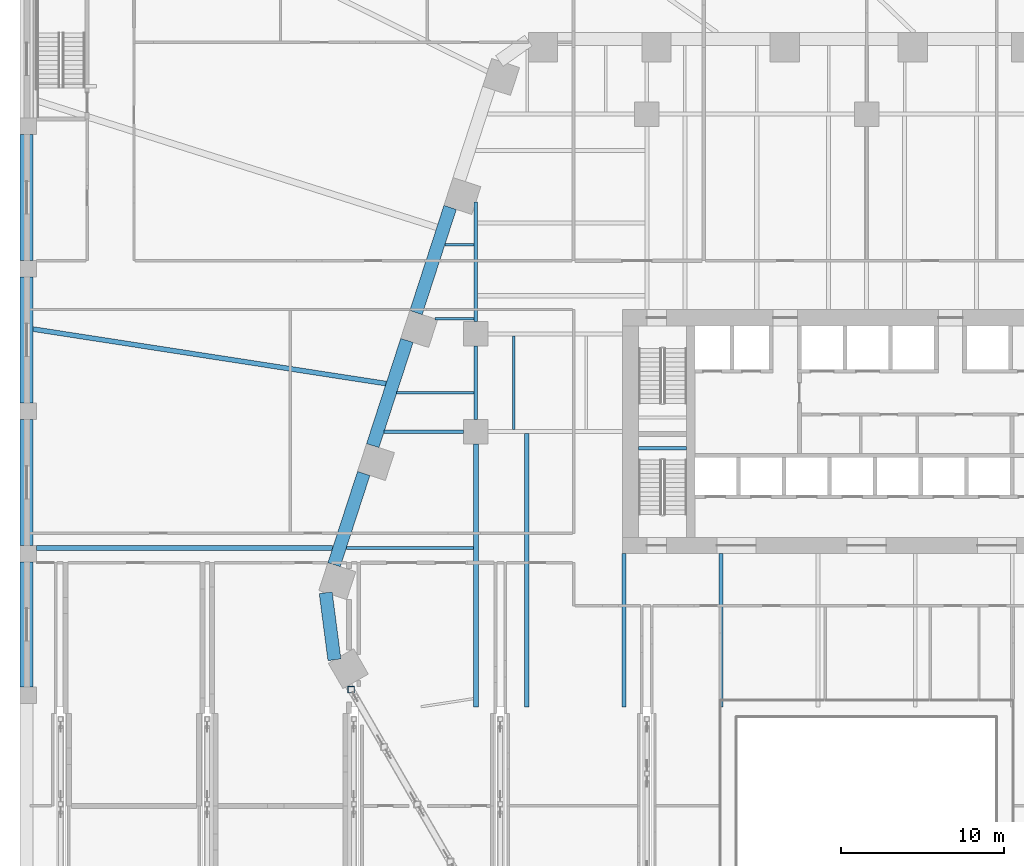
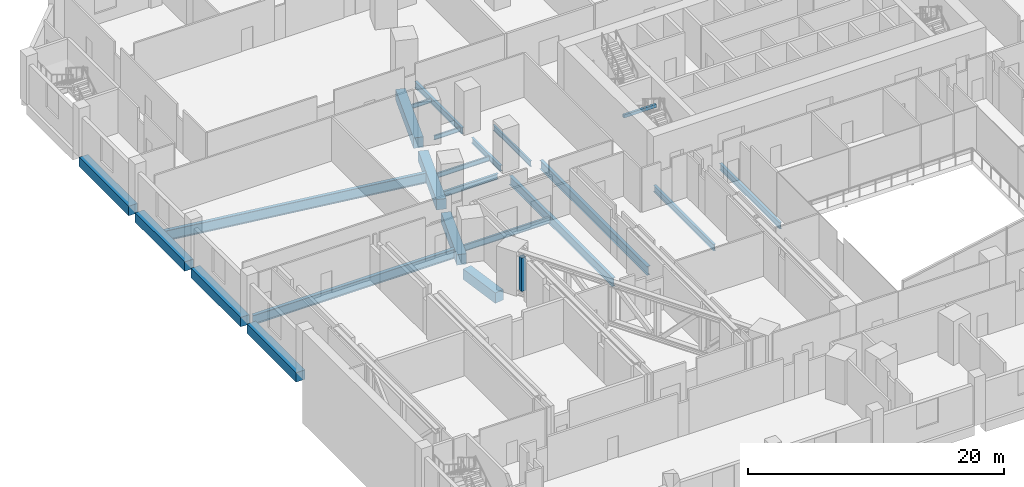
# One storey, part 5 of 32: 23 beams, 1 member.
"""IFC4 building model written with IfcOpenShell, lengths in metres."""

from ifc_helpers import new_model, si_unit, direction, frame, origin, origin_2d, place, context, subcontext, project, spatial, rectangle, hollow_rectangle, i_section, extrude, material, material_profile, profile_set, type_object, element, save


model = new_model("IFC4")

# Units and contexts
model_context = context("Model", 3, precision=1e-05, world=origin(), true_north=direction((0.0, 1.0)))
body_context = subcontext(model_context, "Body", "Model", "MODEL_VIEW")
ifc_project = project(units=[si_unit("LENGTHUNIT", "METRE"), si_unit("AREAUNIT", "SQUARE_METRE"), si_unit("VOLUMEUNIT", "CUBIC_METRE"), si_unit("PLANEANGLEUNIT", "RADIAN"), si_unit("MASSUNIT", "GRAM", prefix="KILO")], contexts=[model_context])

# Site, building, storey
site_placement = place(None, origin())
site = spatial("IfcSite", under=ifc_project, at=site_placement, CompositionType="ELEMENT")
building_placement = place(site_placement, origin())
building = spatial("IfcBuilding", under=site, at=building_placement, Name="Isthmus Gate Tower", CompositionType="ELEMENT")
storey_placement = place(building_placement, frame((0.0, 0.0, 18.0)))
storey = spatial("IfcBuildingStorey", under=building, at=storey_placement, Name="L02", CompositionType="ELEMENT", Elevation=18.0)

# Beams
ifc_material_1 = material(Name="Concrete f'c 70 MPa", Category="concrete")
ifc_material_profile_1 = material_profile(ifc_material_1, rectangle(XDim=0.800048828125, YDim=0.89990234375, at=origin_2d()), Name="RC 800X900")
ifc_profile_set_1 = profile_set([ifc_material_profile_1], Name="Concrete f'c 70 MPa")
beam_type_1 = type_object("IfcBeamType", Name="RC EDGE BEAM 800 X 900", PredefinedType="BEAM", material=ifc_profile_set_1)
beam_1_placement = place(storey_placement, frame((-51.60009765625, -8.199951171875, -0.85009765625), z_axis=(0.0, 1.0, 0.0), x_axis=(-1.0, 0.0, 0.0)))
element("IfcBeam", 1, at=beam_1_placement, inside=storey, type_object=beam_type_1, Name="str-edgebeam-L02-03", PredefinedType="BEAM", context=body_context, shape_type="SweptSolid", body=[
    extrude(rectangle(XDim=0.800048828125, YDim=0.89990234375, at=origin_2d()), origin(), (0.0, 0.0, 1.0), 7.699951171875),
])
for number, where, z_axis, x_axis, name in (
    (2, (-51.60009765625, 0.5, -0.85009765625), (0.0, 1.0, 0.0), (-1.0, 0.0, 0.0), "str-edgebeam-L02-04"),
    (3, (-51.60009765625, 9.25, -0.85009765625), (0.0, 1.0, 0.0), (-1.0, 0.0, 0.0), "str-edgebeam-L02-05"),
    (4, (-51.60009765625, 18.0, -0.85009765625), (0.0, 1.0, 0.0), (-1.0, 0.0, 0.0), "str-edgebeam-L02-06"),
):
    element("IfcBeam", number, at=place(storey_placement, frame(where, z_axis=z_axis, x_axis=x_axis)), inside=storey, type_object=beam_type_1, Name=name, PredefinedType="BEAM", context=body_context, shape_type="SweptSolid", body=[
        extrude(rectangle(XDim=0.800048828125, YDim=0.89990234375, at=origin_2d()), origin(), (0.0, 0.0, 1.0), 7.75),
    ])
ifc_material_2 = material(Name="Concrete f'c 70 MPa", Category="concrete")
ifc_material_profile_2 = material_profile(ifc_material_2, rectangle(XDim=0.800048828125, YDim=1.0, at=origin_2d()), Name="RC 800X1000")
ifc_profile_set_2 = profile_set([ifc_material_profile_2], Name="Concrete f'c 70 MPa")
beam_type_2 = type_object("IfcBeamType", Name="RC TUBE RING BEAM 800 X 1000", PredefinedType="BEAM", material=ifc_profile_set_2)
beam_2_placement = place(storey_placement, frame((-32.6884765625, -6.515380859375, -0.89990234375), z_axis=(-0.129170777359, 0.991622362735, 0.0), x_axis=(-0.991622362735, -0.129170777359, 0.0)))
element("IfcBeam", 5, at=beam_2_placement, inside=storey, type_object=beam_type_2, Name="str-ringbeam-L02-14", PredefinedType="BEAM", context=body_context, shape_type="SweptSolid", body=[
    extrude(rectangle(XDim=0.800048828125, YDim=1.0, at=origin_2d()), origin(), (0.0, 0.0, 1.0), 4.15234375),
])
beam_3_placement = place(storey_placement, frame((-32.70947265625, -0.672607421875, -0.89990234375), z_axis=(0.309005457803, 0.951060264677, 0.0), x_axis=(-0.951060264677, 0.309005457803, 0.0)))
element("IfcBeam", 6, at=beam_3_placement, inside=storey, type_object=beam_type_2, Name="str-ringbeam-L02-15", PredefinedType="BEAM", context=body_context, shape_type="SweptSolid", body=[
    extrude(rectangle(XDim=0.800048828125, YDim=1.0, at=origin_2d()), origin(), (0.0, 0.0, 1.0), 5.889404296875),
])
for number, where, z_axis, x_axis, name in (
    (7, (-30.333251953125, 6.640380859375, -0.89990234375), (0.30900150794, 0.951061548004, 0.0), (-0.951061548004, 0.30900150794, 0.0), "str-ringbeam-L02-16"),
    (8, (-27.67919921875, 14.809326171875, -0.89990234375), (0.309034033576, 0.951050979754, 0.0), (-0.951050979754, 0.309034033576, 0.0), "str-ringbeam-L02-17"),
):
    element("IfcBeam", number, at=place(storey_placement, frame(where, z_axis=z_axis, x_axis=x_axis)), inside=storey, type_object=beam_type_2, Name=name, PredefinedType="BEAM", context=body_context, shape_type="SweptSolid", body=[
        extrude(rectangle(XDim=0.800048828125, YDim=1.0, at=origin_2d()), origin(), (0.0, 0.0, 1.0), 6.789306640625),
    ])
ifc_material_3 = material(Name="Concrete f'c 40 MPa", Category="concrete")
ifc_material_profile_3 = material_profile(ifc_material_3, rectangle(XDim=0.199951171875, YDim=0.300048828125, at=origin_2d()), Name="STAIR LANDING BEAM RC 200 X 300")
ifc_profile_set_3 = profile_set([ifc_material_profile_3], Name="Concrete f'c 40 MPa")
beam_type_3 = type_object("IfcBeamType", Name="STAIR LANDING BEAM RC 200 X 300", PredefinedType="BEAM", material=ifc_profile_set_3)
beam_4_placement = place(storey_placement, frame((-14.0, 6.47998046875, 1.89990234375), z_axis=(1.0, 0.0, 0.0), x_axis=(0.0, 1.0, 0.0)))
element("IfcBeam", 9, at=beam_4_placement, inside=storey, type_object=beam_type_3, Name="L02 ST7 landing beam 1", PredefinedType="BEAM", context=body_context, shape_type="SweptSolid", body=[
    extrude(rectangle(XDim=0.199951171875, YDim=0.300048828125, at=origin_2d()), origin(), (0.0, 0.0, 1.0), 2.949951171875),
])
ifc_material_4 = material(Name="Structural steel ASTM A992 Gr 50", Category="steel")
ifc_material_profile_4 = material_profile(ifc_material_4, i_section(OverallWidth=0.1396484375, OverallDepth=0.4033203125, WebThickness=0.00634765625, FlangeThickness=0.010986328125, at=origin_2d()), Name="W16X31")
ifc_profile_set_4 = profile_set([ifc_material_profile_4], Name="Structural steel ASTM A992 Gr 50")
beam_type_4 = type_object("IfcBeamType", Name="STEEL FLOOR BEAM W16X31", PredefinedType="JOIST", material=ifc_profile_set_4)
beam_5_placement = place(storey_placement, frame((-26.503662109375, 14.427490234375, -0.6015625), z_axis=(1.0, 0.0, 0.0), x_axis=(0.0, 1.0, 0.0)))
element("IfcBeam", 10, at=beam_5_placement, inside=storey, type_object=beam_type_4, Name="str-beam-L02-06-01", PredefinedType="JOIST", context=body_context, shape_type="SweptSolid", body=[
    extrude(i_section(OverallWidth=0.1396484375, OverallDepth=0.4033203125, WebThickness=0.00634765625, FlangeThickness=0.010986328125, at=origin_2d()), origin(), (0.0, 0.0, 1.0), 2.389404296875),
])
beam_6_placement = place(storey_placement, frame((-25.90478515625, 18.975830078125, -0.6015625), z_axis=(1.0, 0.0, 0.0), x_axis=(0.0, 1.0, 0.0)))
element("IfcBeam", 11, at=beam_6_placement, inside=storey, type_object=beam_type_4, Name="str-beam-L02-06-02", PredefinedType="JOIST", context=body_context, shape_type="SweptSolid", body=[
    extrude(i_section(OverallWidth=0.1396484375, OverallDepth=0.4033203125, WebThickness=0.00634765625, FlangeThickness=0.010986328125, at=origin_2d()), origin(), (0.0, 0.0, 1.0), 1.79052734375),
])
ifc_material_5 = material(Name="Structural steel ASTM A992 Gr 50", Category="steel")
ifc_material_profile_5 = material_profile(ifc_material_5, i_section(OverallWidth=0.15234375, OverallDepth=0.45068359375, WebThickness=0.0078125, FlangeThickness=0.010986328125, at=origin_2d()), Name="W18X35")
ifc_profile_set_5 = profile_set([ifc_material_profile_5], Name="Structural steel ASTM A992 Gr 50")
beam_type_5 = type_object("IfcBeamType", Name="STEEL FLOOR BEAM W18X35", PredefinedType="JOIST", material=ifc_profile_set_5)
beam_7_placement = place(storey_placement, frame((-28.860595703125, 9.87890625, -0.62548828125), z_axis=(1.0, 0.0, 0.0), x_axis=(0.0, 1.0, 0.0)))
element("IfcBeam", 12, at=beam_7_placement, inside=storey, type_object=beam_type_5, Name="str-beam-L02-06-00", PredefinedType="JOIST", context=body_context, shape_type="SweptSolid", body=[
    extrude(i_section(OverallWidth=0.15234375, OverallDepth=0.45068359375, WebThickness=0.0078125, FlangeThickness=0.010986328125, at=origin_2d()), origin(), (0.0, 0.0, 1.0), 4.755859375),
])
ifc_material_6 = material(Name="Structural steel ASTM A992 Gr 50", Category="steel")
ifc_material_profile_6 = material_profile(ifc_material_6, i_section(OverallWidth=0.1650390625, OverallDepth=0.52392578125, WebThickness=0.009521484375, FlangeThickness=0.010986328125, at=origin_2d()), Name="W21X44")
ifc_profile_set_6 = profile_set([ifc_material_profile_6], Name="Structural steel ASTM A992 Gr 50")
beam_type_6 = type_object("IfcBeamType", Name="STEEL FLOOR BEAM W21X44", PredefinedType="JOIST", material=ifc_profile_set_6)
beam_8_placement = place(storey_placement, frame((-21.67138671875, 7.6142578125, -0.661865234375), z_axis=(0.0, 1.0, 0.0), x_axis=(-1.0, 0.0, 0.0)))
element("IfcBeam", 13, at=beam_8_placement, inside=storey, type_object=beam_type_6, Name="str-beam-L02-07-00", PredefinedType="JOIST", context=body_context, shape_type="SweptSolid", body=[
    extrude(i_section(OverallWidth=0.1650390625, OverallDepth=0.52392578125, WebThickness=0.009521484375, FlangeThickness=0.010986328125, at=origin_2d()), origin(), (0.0, 0.0, 1.0), 5.771484375),
])
ifc_material_7 = material(Name="Structural steel ASTM A992 Gr 50", Category="steel")
ifc_material_profile_7 = material_profile(ifc_material_7, i_section(OverallWidth=0.177734375, OverallDepth=0.60009765625, WebThickness=0.009521484375, FlangeThickness=0.0126953125, at=origin_2d()), Name="W24X55")
ifc_profile_set_7 = profile_set([ifc_material_profile_7], Name="Structural steel ASTM A992 Gr 50")
beam_type_7 = type_object("IfcBeamType", Name="STEEL FLOOR BEAM W24X55", PredefinedType="JOIST", material=ifc_profile_set_7)
beam_9_placement = place(storey_placement, frame((-24.14599609375, 0.357421875, -0.699951171875), z_axis=(-1.0, 0.0, 0.0), x_axis=(0.0, -1.0, 0.0)))
element("IfcBeam", 14, at=beam_9_placement, inside=storey, type_object=beam_type_7, Name="str-beam-L02-18-32", PredefinedType="JOIST", context=body_context, shape_type="SweptSolid", body=[
    extrude(i_section(OverallWidth=0.177734375, OverallDepth=0.60009765625, WebThickness=0.009521484375, FlangeThickness=0.0126953125, at=origin_2d()), origin(), (0.0, 0.0, 1.0), 7.80810546875),
])
ifc_material_8 = material(Name="Structural steel ASTM A992 Gr 50", Category="steel")
ifc_material_profile_8 = material_profile(ifc_material_8, i_section(OverallWidth=0.228515625, OverallDepth=0.603271484375, WebThickness=0.010986328125, FlangeThickness=0.014404296875, at=origin_2d()), Name="W24X68")
ifc_profile_set_8 = profile_set([ifc_material_profile_8], Name="Structural steel ASTM A992 Gr 50")
beam_type_8 = type_object("IfcBeamType", Name="STEEL FLOOR BEAM W24X68", PredefinedType="JOIST", material=ifc_profile_set_8)
for number, where, z_axis, x_axis, name in (
    (15, (-14.90869140625, -9.39990234375, -0.70166015625), (0.0, 1.0, 0.0), (-1.0, 0.0, 0.0), "str-beam-L02-17-01"),
    (16, (-8.9453125, -9.39990234375, -0.70166015625), (0.0, 1.0, 0.0), (-1.0, 0.0, 0.0), "str-beam-L02-17-02"),
):
    element("IfcBeam", number, at=place(storey_placement, frame(where, z_axis=z_axis, x_axis=x_axis)), inside=storey, type_object=beam_type_8, Name=name, PredefinedType="JOIST", context=body_context, shape_type="SweptSolid", body=[
        extrude(i_section(OverallWidth=0.228515625, OverallDepth=0.603271484375, WebThickness=0.010986328125, FlangeThickness=0.014404296875, at=origin_2d()), origin(), (0.0, 0.0, 1.0), 9.39990234375),
    ])
ifc_material_9 = material(Name="Structural steel ASTM A992 Gr 50", Category="steel")
ifc_material_profile_9 = material_profile(ifc_material_9, i_section(OverallWidth=0.2919921875, OverallDepth=0.8349609375, WebThickness=0.014404296875, FlangeThickness=0.01904296875, at=origin_2d()), Name="W33X118")
ifc_profile_set_9 = profile_set([ifc_material_profile_9], Name="Structural steel ASTM A992 Gr 50")
beam_type_9 = type_object("IfcBeamType", Name="STEEL FLOOR BEAM W33X118", PredefinedType="JOIST", material=ifc_profile_set_9)
beam_10_placement = place(storey_placement, frame((-20.872314453125, -9.39990234375, -0.8173828125), z_axis=(0.0, 1.0, 0.0), x_axis=(-1.0, 0.0, 0.0)))
element("IfcBeam", 17, at=beam_10_placement, inside=storey, type_object=beam_type_9, Name="str-beam-L02-17-00", PredefinedType="JOIST", context=body_context, shape_type="SweptSolid", body=[
    extrude(i_section(OverallWidth=0.2919921875, OverallDepth=0.8349609375, WebThickness=0.014404296875, FlangeThickness=0.01904296875, at=origin_2d()), origin(), (0.0, 0.0, 1.0), 16.78564453125),
])
ifc_material_10 = material(Name="Structural steel ASTM A992 Gr 50", Category="steel")
ifc_material_profile_10 = material_profile(ifc_material_10, i_section(OverallWidth=0.3046875, OverallDepth=0.901611328125, WebThickness=0.015869140625, FlangeThickness=0.0205078125, at=origin_2d()), Name="W36X135")
ifc_profile_set_10 = profile_set([ifc_material_profile_10], Name="Structural steel ASTM A992 Gr 50")
beam_type_10 = type_object("IfcBeamType", Name="STEEL FLOOR BEAM W36X135", PredefinedType="JOIST", material=ifc_profile_set_10)
beam_11_placement = place(storey_placement, frame((-32.79541015625, 0.357421875, -0.850830078125), z_axis=(-1.0, 0.0, 0.0), x_axis=(0.0, -1.0, 0.0)))
element("IfcBeam", 18, at=beam_11_placement, inside=storey, type_object=beam_type_10, Name="str-beam-L02-18-33", PredefinedType="JOIST", context=body_context, shape_type="SweptSolid", body=[
    extrude(i_section(OverallWidth=0.3046875, OverallDepth=0.901611328125, WebThickness=0.015869140625, FlangeThickness=0.0205078125, at=origin_2d()), origin(), (0.0, 0.0, 1.0), 18.20458984375),
])
ifc_material_11 = material(Name="Structural steel ASTM A992 Gr 50", Category="steel")
ifc_material_profile_11 = material_profile(ifc_material_11, i_section(OverallWidth=0.29833984375, OverallDepth=0.981201171875, WebThickness=0.015869140625, FlangeThickness=0.025390625, at=origin_2d()), Name="W40X167")
ifc_profile_set_11 = profile_set([ifc_material_profile_11], Name="Structural steel ASTM A992 Gr 50")
beam_type_11 = type_object("IfcBeamType", Name="STEEL FLOOR BEAM W40X167", PredefinedType="JOIST", material=ifc_profile_set_11)
beam_12_placement = place(storey_placement, frame((-29.516845703125, 10.447509765625, -0.890625), z_axis=(-0.9882807001, 0.15264749526, 0.0), x_axis=(-0.15264749526, -0.9882807001, 0.0)))
element("IfcBeam", 19, at=beam_12_placement, inside=storey, type_object=beam_type_11, Name="str-beam-L02-18-30", PredefinedType="JOIST", context=body_context, shape_type="SweptSolid", body=[
    extrude(i_section(OverallWidth=0.29833984375, OverallDepth=0.981201171875, WebThickness=0.015869140625, FlangeThickness=0.025390625, at=origin_2d()), origin(), (0.0, 0.0, 1.0), 21.940185546875),
])
ifc_material_12 = material(Name="Structural steel ASTM A992 Gr 50", Category="steel")
ifc_material_profile_12 = material_profile(ifc_material_12, i_section(OverallWidth=0.20947265625, OverallDepth=0.533447265625, WebThickness=0.009521484375, FlangeThickness=0.015869140625, at=origin_2d()), Name="W21X62")
ifc_profile_set_12 = profile_set([ifc_material_profile_12], Name="Structural steel ASTM A992 Gr 50")
beam_type_12 = type_object("IfcBeamType", Name="STEEL GIRDER W21X62", PredefinedType="BEAM", material=ifc_profile_set_12)
beam_13_placement = place(storey_placement, frame((-29.633544921875, 7.5, -0.666748046875), z_axis=(1.0, 0.0, 0.0), x_axis=(0.0, 1.0, 0.0)))
element("IfcBeam", 20, at=beam_13_placement, inside=storey, type_object=beam_type_12, Name="str-girder-L02-04", PredefinedType="BEAM", context=body_context, shape_type="SweptSolid", body=[
    extrude(i_section(OverallWidth=0.20947265625, OverallDepth=0.533447265625, WebThickness=0.009521484375, FlangeThickness=0.015869140625, at=origin_2d()), origin(), (0.0, 0.0, 1.0), 4.883544921875),
])
beam_14_placement = place(storey_placement, frame((-24.0, 8.25, -0.666748046875), z_axis=(0.0, 1.0, 0.0), x_axis=(-1.0, 0.0, 0.0)))
element("IfcBeam", 21, at=beam_14_placement, inside=storey, type_object=beam_type_12, Name="str-girder-L02-16", PredefinedType="BEAM", context=body_context, shape_type="SweptSolid", body=[
    extrude(i_section(OverallWidth=0.20947265625, OverallDepth=0.533447265625, WebThickness=0.009521484375, FlangeThickness=0.015869140625, at=origin_2d()), origin(), (0.0, 0.0, 1.0), 4.5),
])
ifc_material_13 = material(Name="Structural steel ASTM A992 Gr 50", Category="steel")
ifc_material_profile_13 = material_profile(ifc_material_13, i_section(OverallWidth=0.228515625, OverallDepth=0.603271484375, WebThickness=0.010986328125, FlangeThickness=0.014404296875, at=origin_2d()), Name="W24X68")
ifc_profile_set_13 = profile_set([ifc_material_profile_13], Name="Structural steel ASTM A992 Gr 50")
beam_type_13 = type_object("IfcBeamType", Name="STEEL GIRDER W24X68", PredefinedType="BEAM", material=ifc_profile_set_13)
beam_15_placement = place(storey_placement, frame((-24.0, 14.25, -0.70166015625), z_axis=(0.0, 1.0, 0.0), x_axis=(-1.0, 0.0, 0.0)))
element("IfcBeam", 22, at=beam_15_placement, inside=storey, type_object=beam_type_13, Name="str-girder-L02-17", PredefinedType="BEAM", context=body_context, shape_type="SweptSolid", body=[
    extrude(i_section(OverallWidth=0.228515625, OverallDepth=0.603271484375, WebThickness=0.010986328125, FlangeThickness=0.014404296875, at=origin_2d()), origin(), (0.0, 0.0, 1.0), 7.35205078125),
])
ifc_material_14 = material(Name="Structural steel ASTM A992 Gr 50", Category="steel")
ifc_material_profile_14 = material_profile(ifc_material_14, i_section(OverallWidth=0.2919921875, OverallDepth=0.8349609375, WebThickness=0.014404296875, FlangeThickness=0.01904296875, at=origin_2d()), Name="W33X118")
ifc_profile_set_14 = profile_set([ifc_material_profile_14], Name="Structural steel ASTM A992 Gr 50")
beam_type_14 = type_object("IfcBeamType", Name="STEEL GIRDER W33X118", PredefinedType="BEAM", material=ifc_profile_set_14)
beam_16_placement = place(storey_placement, frame((-24.0, -9.39990234375, -0.8173828125), z_axis=(0.0, 1.0, 0.0), x_axis=(-1.0, 0.0, 0.0)))
element("IfcBeam", 23, at=beam_16_placement, inside=storey, type_object=beam_type_14, Name="str-girder-L02-15", PredefinedType="BEAM", context=body_context, shape_type="SweptSolid", body=[
    extrude(i_section(OverallWidth=0.2919921875, OverallDepth=0.8349609375, WebThickness=0.014404296875, FlangeThickness=0.01904296875, at=origin_2d()), origin(), (0.0, 0.0, 1.0), 16.14990234375),
])

# Member
ifc_material_15 = material(Name="Structural steel ASTM A500 Gr C", Category="steel")
ifc_material_profile_15 = material_profile(ifc_material_15, hollow_rectangle(XDim=0.406494140625, YDim=0.406494140625, WallThickness=0.017578125, at=origin_2d()), Name="HSS16X16X3/4")
ifc_profile_set_15 = profile_set([ifc_material_profile_15], Name="Structural steel ASTM A500 Gr C")
member_type = type_object("IfcMemberType", Name="TRANSFER TRUSS POST HSS16X16X3/4", PredefinedType="POST", material=ifc_profile_set_15)
member_placement = place(storey_placement, frame((-31.66748046875, -8.35009765625, 0.49853515625), z_axis=(0.0, 0.0, 1.0), x_axis=(1.0, 0.0, 0.0)))
element("IfcMember", 24, at=member_placement, inside=storey, type_object=member_type, Name="str-ftruss02-L02-06", PredefinedType="POST", context=body_context, shape_type="SweptSolid", body=[
    extrude(hollow_rectangle(XDim=0.406494140625, YDim=0.406494140625, WallThickness=0.017578125, at=origin_2d()), origin(), (0.0, 0.0, 1.0), 3.202880859375),
])

save(model, "model.ifc")
